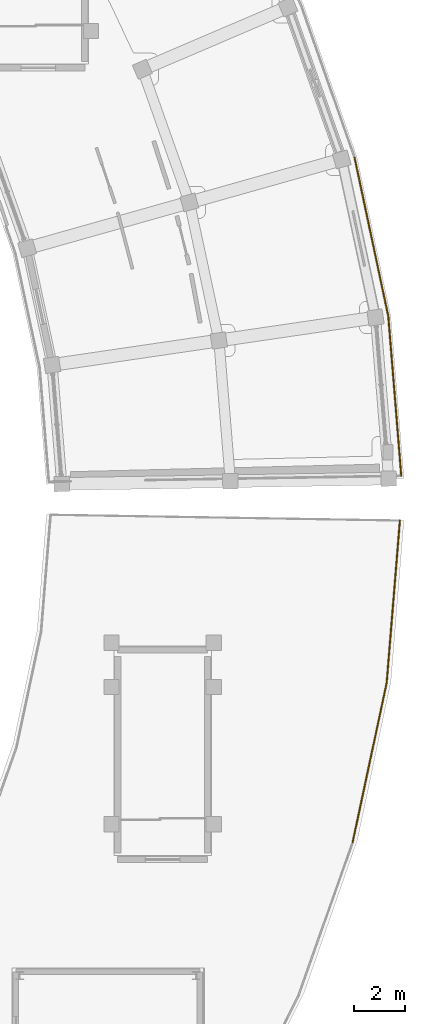
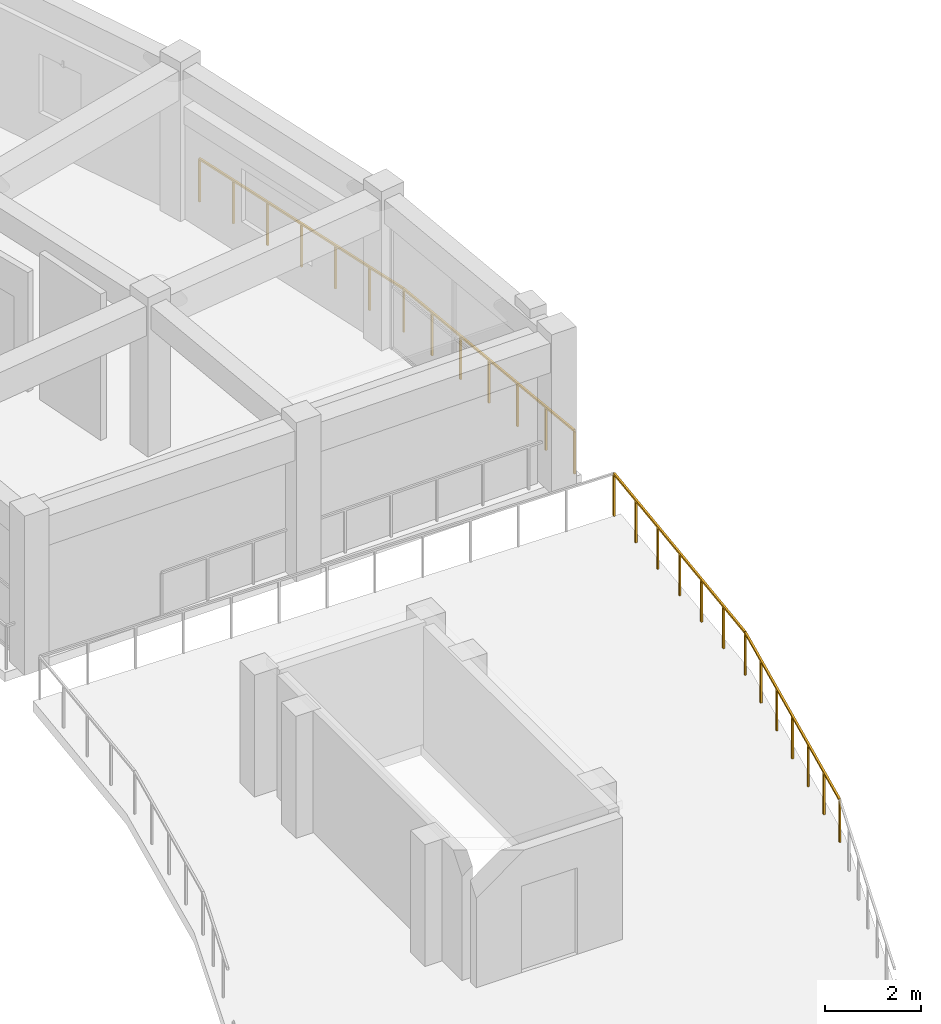
# One storey, part 26 of 29: 4 railings.
"""IFC4 building model written with IfcOpenShell, lengths in metres."""

from ifc_helpers import new_model, si_unit, direction, frame, origin, origin_2d, place, context, subcontext, project, spatial, rectangle, extrude, material, layer, layer_set, type_object, element, save


model = new_model("IFC4")

# Units and contexts
model_context = context("Model", 3, precision=1e-05, world=origin(), true_north=direction((0.0, 1.0)))
body_context = subcontext(model_context, "Body", "Model", "MODEL_VIEW")
ifc_project = project(units=[si_unit("LENGTHUNIT", "METRE"), si_unit("AREAUNIT", "SQUARE_METRE"), si_unit("VOLUMEUNIT", "CUBIC_METRE"), si_unit("PLANEANGLEUNIT", "RADIAN"), si_unit("MASSUNIT", "GRAM", prefix="KILO")], contexts=[model_context])

# Site, building, storey
site_placement = place(None, origin())
site = spatial("IfcSite", under=ifc_project, at=site_placement, CompositionType="ELEMENT")
building_placement = place(site_placement, origin())
building = spatial("IfcBuilding", under=site, at=building_placement, Name="Saryqyr Civic Hall", CompositionType="ELEMENT")
storey_placement = place(building_placement, frame((0.0, 0.0, 25.35009765625)))
storey = spatial("IfcBuildingStorey", under=building, at=storey_placement, Name="L06", CompositionType="ELEMENT", Elevation=25.35009765625)

# Railings
ifc_material_1 = material(Name="Stainless steel and laminated glass", Category="steel")
ifc_layer_1 = layer(ifc_material_1, 0.06005859375, Name="Stainless steel and laminated glass")
ifc_layer_set_1 = layer_set([ifc_layer_1], Name="Stainless steel and laminated glass")
railing_type_1 = type_object("IfcRailingType", Name="ENV-RLG-BAL-1100", PredefinedType="BALUSTRADE", material=ifc_layer_set_1)
railing_1_placement = place(storey_placement, frame((104.581298828125, 70.57177734375, 0.0)))
element("IfcRailing", 1, at=railing_1_placement, inside=storey, type_object=railing_type_1, Name="Perimeter safety balustrade V5-RG-L06-G09", PredefinedType="BALUSTRADE", context=body_context, shape_type="SweptSolid", body=[
    extrude(rectangle(XDim=0.048095703125, YDim=0.048095703125, at=origin_2d()), frame((0.0, 0.0, 1.076171875), z_axis=(0.208915424159, 0.977933712247, 0.0), x_axis=(-0.977933712247, 0.208915424159, 0.0)), (0.0, 0.0, 1.0), 6.38525390625),
    extrude(rectangle(XDim=0.0419921875, YDim=0.0419921875, at=origin_2d()), origin(), (0.0, 0.0, 1.0), 1.052001953125),
    extrude(rectangle(XDim=0.0419921875, YDim=0.0419921875, at=origin_2d()), frame((0.222412109375, 1.040771484375, 0.0)), (0.0, 0.0, 1.0), 1.052001953125),
    extrude(rectangle(XDim=0.0419921875, YDim=0.0419921875, at=origin_2d()), frame((0.444580078125, 2.08154296875, 0.0)), (0.0, 0.0, 1.0), 1.052001953125),
    extrude(rectangle(XDim=0.0419921875, YDim=0.0419921875, at=origin_2d()), frame((0.6669921875, 3.1220703125, 0.0)), (0.0, 0.0, 1.0), 1.052001953125),
    extrude(rectangle(XDim=0.0419921875, YDim=0.0419921875, at=origin_2d()), frame((0.889404296875, 4.162841796875, 0.0)), (0.0, 0.0, 1.0), 1.052001953125),
    extrude(rectangle(XDim=0.0419921875, YDim=0.0419921875, at=origin_2d()), frame((1.111572265625, 5.20361328125, 0.0)), (0.0, 0.0, 1.0), 1.052001953125),
    extrude(rectangle(XDim=0.0419921875, YDim=0.0419921875, at=origin_2d()), frame((1.333984375, 6.244384765625, 0.0)), (0.0, 0.0, 1.0), 1.052001953125),
])
railing_2_placement = place(storey_placement, frame((105.915283203125, 76.816162109375, 0.0)))
element("IfcRailing", 2, at=railing_2_placement, inside=storey, type_object=railing_type_1, Name="Perimeter safety balustrade V5-RG-L06-G10", PredefinedType="BALUSTRADE", context=body_context, shape_type="SweptSolid", body=[
    extrude(rectangle(XDim=0.048095703125, YDim=0.048095703125, at=origin_2d()), frame((0.0, 0.0, 1.076171875), z_axis=(0.081096134296, 0.996706284219, 0.0), x_axis=(-0.996706284219, 0.081096134296, 0.0)), (0.0, 0.0, 1.0), 6.38525390625),
    extrude(rectangle(XDim=0.0419921875, YDim=0.0419921875, at=origin_2d()), origin(), (0.0, 0.0, 1.0), 1.052001953125),
    extrude(rectangle(XDim=0.0419921875, YDim=0.0419921875, at=origin_2d()), frame((0.08642578125, 1.060791015625, 0.0)), (0.0, 0.0, 1.0), 1.052001953125),
    extrude(rectangle(XDim=0.0419921875, YDim=0.0419921875, at=origin_2d()), frame((0.172607421875, 2.121337890625, 0.0)), (0.0, 0.0, 1.0), 1.052001953125),
    extrude(rectangle(XDim=0.0419921875, YDim=0.0419921875, at=origin_2d()), frame((0.2587890625, 3.18212890625, 0.0)), (0.0, 0.0, 1.0), 1.052001953125),
    extrude(rectangle(XDim=0.0419921875, YDim=0.0419921875, at=origin_2d()), frame((0.34521484375, 4.242919921875, 0.0)), (0.0, 0.0, 1.0), 1.052001953125),
    extrude(rectangle(XDim=0.0419921875, YDim=0.0419921875, at=origin_2d()), frame((0.431640625, 5.303466796875, 0.0)), (0.0, 0.0, 1.0), 1.052001953125),
    extrude(rectangle(XDim=0.0419921875, YDim=0.0419921875, at=origin_2d()), frame((0.517822265625, 6.3642578125, 0.0)), (0.0, 0.0, 1.0), 1.052001953125),
])
ifc_material_2 = material(Name="Warm brushed brass and laminated glass", Category="glass")
ifc_layer_2 = layer(ifc_material_2, 0.06005859375, Name="Warm brushed brass and laminated glass")
ifc_layer_set_2 = layer_set([ifc_layer_2], Name="Warm brushed brass and laminated glass")
railing_type_2 = type_object("IfcRailingType", Name="INT-RLG-BAL-1100", PredefinedType="BALUSTRADE", material=ifc_layer_set_2)
railing_3_placement = place(storey_placement, frame((104.657958984375, 97.376708984375, 0.0)))
element("IfcRailing", 3, at=railing_3_placement, inside=storey, type_object=railing_type_2, Name="Interior deck safety balustrade L06-017", PredefinedType="BALUSTRADE", context=body_context, shape_type="SweptSolid", body=[
    extrude(rectangle(XDim=0.048095703125, YDim=0.048095703125, at=origin_2d()), frame((0.0, 0.0, 1.09619140625), z_axis=(0.207858296561, -0.97815894851, 0.0), x_axis=(0.97815894851, 0.207858296561, 0.0)), (0.0, 0.0, 1.0), 6.35791015625),
    extrude(rectangle(XDim=0.0419921875, YDim=0.0419921875, at=origin_2d()), origin(), (0.0, 0.0, 1.0), 1.072021484375),
    extrude(rectangle(XDim=0.0419921875, YDim=0.0419921875, at=origin_2d()), frame((0.22021484375, -1.03662109375, 0.0)), (0.0, 0.0, 1.0), 1.072021484375),
    extrude(rectangle(XDim=0.0419921875, YDim=0.0419921875, at=origin_2d()), frame((0.4404296875, -2.072998046875, 0.0)), (0.0, 0.0, 1.0), 1.072021484375),
    extrude(rectangle(XDim=0.0419921875, YDim=0.0419921875, at=origin_2d()), frame((0.66064453125, -3.109375, 0.0)), (0.0, 0.0, 1.0), 1.072021484375),
    extrude(rectangle(XDim=0.0419921875, YDim=0.0419921875, at=origin_2d()), frame((0.881103515625, -4.14599609375, 0.0)), (0.0, 0.0, 1.0), 1.072021484375),
    extrude(rectangle(XDim=0.0419921875, YDim=0.0419921875, at=origin_2d()), frame((1.101318359375, -5.1826171875, 0.0)), (0.0, 0.0, 1.0), 1.072021484375),
    extrude(rectangle(XDim=0.0419921875, YDim=0.0419921875, at=origin_2d()), frame((1.321533203125, -6.218994140625, 0.0)), (0.0, 0.0, 1.0), 1.072021484375),
])
railing_4_placement = place(storey_placement, frame((105.9794921875, 91.15771484375, 0.0)))
element("IfcRailing", 4, at=railing_4_placement, inside=storey, type_object=railing_type_2, Name="Interior deck safety balustrade L06-018", PredefinedType="BALUSTRADE", context=body_context, shape_type="SweptSolid", body=[
    extrude(rectangle(XDim=0.048095703125, YDim=0.048095703125, at=origin_2d()), frame((0.0, 0.0, 1.09619140625), z_axis=(0.080762441528, -0.996733378612, 0.0), x_axis=(0.996733378612, 0.080762441528, 0.0)), (0.0, 0.0, 1.0), 6.257568359375),
    extrude(rectangle(XDim=0.0419921875, YDim=0.0419921875, at=origin_2d()), origin(), (0.0, 0.0, 1.0), 1.072021484375),
    extrude(rectangle(XDim=0.0419921875, YDim=0.0419921875, at=origin_2d()), frame((0.084228515625, -1.03955078125, 0.0)), (0.0, 0.0, 1.0), 1.072021484375),
    extrude(rectangle(XDim=0.0419921875, YDim=0.0419921875, at=origin_2d()), frame((0.16845703125, -2.0791015625, 0.0)), (0.0, 0.0, 1.0), 1.072021484375),
    extrude(rectangle(XDim=0.0419921875, YDim=0.0419921875, at=origin_2d()), frame((0.252685546875, -3.11865234375, 0.0)), (0.0, 0.0, 1.0), 1.072021484375),
    extrude(rectangle(XDim=0.0419921875, YDim=0.0419921875, at=origin_2d()), frame((0.3369140625, -4.157958984375, 0.0)), (0.0, 0.0, 1.0), 1.072021484375),
    extrude(rectangle(XDim=0.0419921875, YDim=0.0419921875, at=origin_2d()), frame((0.421142578125, -5.197509765625, 0.0)), (0.0, 0.0, 1.0), 1.072021484375),
    extrude(rectangle(XDim=0.0419921875, YDim=0.0419921875, at=origin_2d()), frame((0.50537109375, -6.237060546875, 0.0)), (0.0, 0.0, 1.0), 1.072021484375),
])

save(model, "model.ifc")
